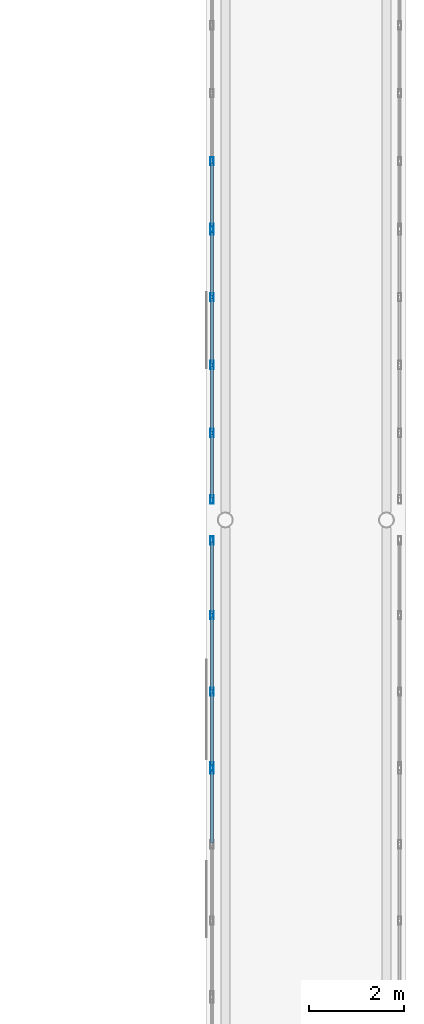
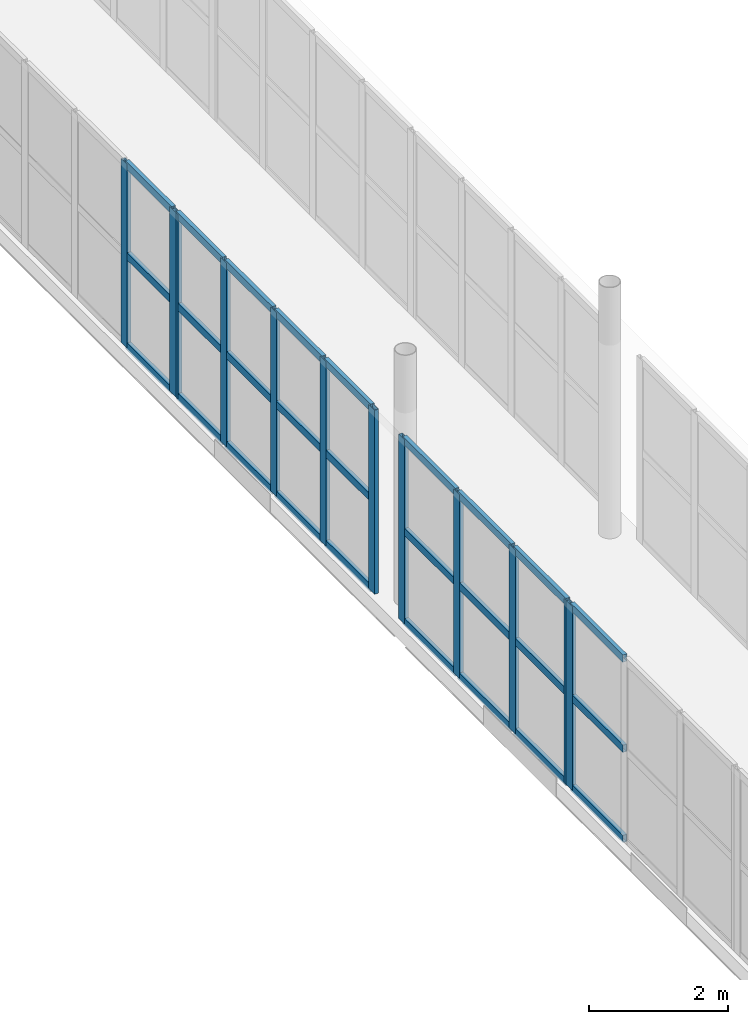
# One storey, part 35 of 142: 39 members, 4 elements without a shape of their own.
"""IFC4 building model written with IfcOpenShell, lengths in metres."""

from ifc_helpers import new_model, si_unit, direction, frame, origin, origin_2d, place, context, subcontext, project, spatial, hollow_rectangle, extrude, material, layer, layer_set, material_profile, profile_set, type_object, element, aggregate, save


model = new_model("IFC4")

# Units and contexts
model_context = context("Model", 3, precision=1e-05, world=origin(), true_north=direction((0.0, 1.0)))
body_context = subcontext(model_context, "Body", "Model", "MODEL_VIEW")
ifc_project = project(units=[si_unit("LENGTHUNIT", "METRE"), si_unit("AREAUNIT", "SQUARE_METRE"), si_unit("VOLUMEUNIT", "CUBIC_METRE"), si_unit("PLANEANGLEUNIT", "RADIAN"), si_unit("MASSUNIT", "GRAM", prefix="KILO")], contexts=[model_context])

# Site, building, storey
site_placement = place(None, origin())
site = spatial("IfcSite", under=ifc_project, at=site_placement, CompositionType="ELEMENT")
building_placement = place(site_placement, origin())
building = spatial("IfcBuilding", under=site, at=building_placement, Name="Valcora Specialist Clinic", CompositionType="ELEMENT")
storey_placement = place(building_placement, frame((0.0, 0.0, 5.10009765625)))
storey = spatial("IfcBuildingStorey", under=building, at=storey_placement, Name="L01", CompositionType="ELEMENT", Elevation=5.10009765625)

# Curtain wall, member
ifc_material = material(Name="Anodized Bronze Aluminium 6063-T6", Category="aluminium")
ifc_layer = layer(ifc_material, 0.175048828125)
ifc_layer_set = layer_set([ifc_layer], Name="Anodized Bronze Aluminium 6063-T6")
curtain_wall_type = type_object("IfcCurtainWallType", Name="TY-CW-BRG14", PredefinedType="NOTDEFINED", material=ifc_layer_set)
curtain_wall_1_placement = place(storey_placement, origin())
curtain_wall_1 = element("IfcCurtainWall", 1, at=curtain_wall_1_placement, inside=storey, type_object=curtain_wall_type, Name="Curtain wall CW-L01-232", PredefinedType="NOTDEFINED")
ifc_material_profile_1 = material_profile(ifc_material, hollow_rectangle(XDim=0.06494140625, YDim=0.175048828125, WallThickness=0.00390625, at=origin_2d()), Name="AL-MUL-65X175")
ifc_profile_set_1 = profile_set([ifc_material_profile_1], Name="Anodized Bronze Aluminium 6063-T6")
member_type_1 = type_object("IfcMemberType", Name="TY-CWM-65X175", PredefinedType="MULLION", material=ifc_profile_set_1)
member_1_placement = place(storey_placement, frame((61.320068359375, 32.734130859375, 0.0), z_axis=(0.0, 0.0, 1.0), x_axis=(-1.0, 0.0, 0.0)))
member_1 = element("IfcMember", 2, at=member_1_placement, type_object=member_type_1, Name="CW-BRG-14 mullion 4", PredefinedType="MULLION", context=body_context, shape_type="SweptSolid", body=[
    extrude(hollow_rectangle(XDim=0.06494140625, YDim=0.175048828125, WallThickness=0.00390625, at=origin_2d()), origin(), (0.0, 0.0, 1.0), 3.239990234375),
])

# Curtain wall, members
curtain_wall_2_placement = place(storey_placement, origin())
curtain_wall_2 = element("IfcCurtainWall", 3, at=curtain_wall_2_placement, inside=storey, type_object=curtain_wall_type, Name="Curtain wall CW-L01-233", PredefinedType="NOTDEFINED")
member_2_placement = place(storey_placement, frame((61.320068359375, 32.79931640625, 0.0), z_axis=(0.0, 0.0, 1.0), x_axis=(-1.0, 0.0, 0.0)))
member_2 = element("IfcMember", 4, at=member_2_placement, type_object=member_type_1, Name="CW-BRG-14 mullion 1", PredefinedType="MULLION", context=body_context, shape_type="SweptSolid", body=[
    extrude(hollow_rectangle(XDim=0.06494140625, YDim=0.175048828125, WallThickness=0.00390625, at=origin_2d()), origin(), (0.0, 0.0, 1.0), 3.239990234375),
])
member_3_placement = place(storey_placement, frame((61.320068359375, 34.377685546875, 0.0), z_axis=(0.0, 0.0, 1.0), x_axis=(-1.0, 0.0, 0.0)))
member_3 = element("IfcMember", 5, at=member_3_placement, type_object=member_type_1, Name="CW-BRG-14 mullion 2", PredefinedType="MULLION", context=body_context, shape_type="SweptSolid", body=[
    extrude(hollow_rectangle(XDim=0.06494140625, YDim=0.175048828125, WallThickness=0.00390625, at=origin_2d()), origin(), (0.0, 0.0, 1.0), 3.239990234375),
])
member_4_placement = place(storey_placement, frame((61.320068359375, 35.989013671875, 0.0), z_axis=(0.0, 0.0, 1.0), x_axis=(-1.0, 0.0, 0.0)))
member_4 = element("IfcMember", 6, at=member_4_placement, type_object=member_type_1, Name="CW-BRG-14 mullion 3", PredefinedType="MULLION", context=body_context, shape_type="SweptSolid", body=[
    extrude(hollow_rectangle(XDim=0.06494140625, YDim=0.175048828125, WallThickness=0.00390625, at=origin_2d()), origin(), (0.0, 0.0, 1.0), 3.239990234375),
])
member_5_placement = place(storey_placement, frame((61.320068359375, 37.5673828125, 0.0), z_axis=(0.0, 0.0, 1.0), x_axis=(-1.0, 0.0, 0.0)))
member_5 = element("IfcMember", 7, at=member_5_placement, type_object=member_type_1, Name="CW-BRG-14 mullion 4", PredefinedType="MULLION", context=body_context, shape_type="SweptSolid", body=[
    extrude(hollow_rectangle(XDim=0.06494140625, YDim=0.175048828125, WallThickness=0.00390625, at=origin_2d()), origin(), (0.0, 0.0, 1.0), 3.239990234375),
])

curtain_wall_3_placement = place(storey_placement, origin())
curtain_wall_3 = element("IfcCurtainWall", 8, at=curtain_wall_3_placement, inside=storey, type_object=curtain_wall_type, Name="Curtain wall CW-L01-234", PredefinedType="NOTDEFINED")
member_6_placement = place(storey_placement, frame((61.320068359375, 38.4326171875, 0.0), z_axis=(0.0, 0.0, 1.0), x_axis=(-1.0, 0.0, 0.0)))
member_6 = element("IfcMember", 9, at=member_6_placement, type_object=member_type_1, Name="CW-BRG-14 mullion 1", PredefinedType="MULLION", context=body_context, shape_type="SweptSolid", body=[
    extrude(hollow_rectangle(XDim=0.06494140625, YDim=0.175048828125, WallThickness=0.00390625, at=origin_2d()), origin(), (0.0, 0.0, 1.0), 3.239990234375),
])
member_7_placement = place(storey_placement, frame((61.320068359375, 39.833251953125, 0.0), z_axis=(0.0, 0.0, 1.0), x_axis=(-1.0, 0.0, 0.0)))
member_7 = element("IfcMember", 10, at=member_7_placement, type_object=member_type_1, Name="CW-BRG-14 mullion 2", PredefinedType="MULLION", context=body_context, shape_type="SweptSolid", body=[
    extrude(hollow_rectangle(XDim=0.06494140625, YDim=0.175048828125, WallThickness=0.00390625, at=origin_2d()), origin(), (0.0, 0.0, 1.0), 3.239990234375),
])
member_8_placement = place(storey_placement, frame((61.320068359375, 41.2666015625, 0.0), z_axis=(0.0, 0.0, 1.0), x_axis=(-1.0, 0.0, 0.0)))
member_8 = element("IfcMember", 11, at=member_8_placement, type_object=member_type_1, Name="CW-BRG-14 mullion 3", PredefinedType="MULLION", context=body_context, shape_type="SweptSolid", body=[
    extrude(hollow_rectangle(XDim=0.06494140625, YDim=0.175048828125, WallThickness=0.00390625, at=origin_2d()), origin(), (0.0, 0.0, 1.0), 3.239990234375),
])
member_9_placement = place(storey_placement, frame((61.320068359375, 42.699951171875, 0.0), z_axis=(0.0, 0.0, 1.0), x_axis=(-1.0, 0.0, 0.0)))
member_9 = element("IfcMember", 12, at=member_9_placement, type_object=member_type_1, Name="CW-BRG-14 mullion 4", PredefinedType="MULLION", context=body_context, shape_type="SweptSolid", body=[
    extrude(hollow_rectangle(XDim=0.06494140625, YDim=0.175048828125, WallThickness=0.00390625, at=origin_2d()), origin(), (0.0, 0.0, 1.0), 3.239990234375),
])
member_10_placement = place(storey_placement, frame((61.320068359375, 44.100830078125, 0.0), z_axis=(0.0, 0.0, 1.0), x_axis=(-1.0, 0.0, 0.0)))
member_10 = element("IfcMember", 13, at=member_10_placement, type_object=member_type_1, Name="CW-BRG-14 mullion 5", PredefinedType="MULLION", context=body_context, shape_type="SweptSolid", body=[
    extrude(hollow_rectangle(XDim=0.06494140625, YDim=0.175048828125, WallThickness=0.00390625, at=origin_2d()), origin(), (0.0, 0.0, 1.0), 3.239990234375),
])

curtain_wall_4_placement = place(storey_placement, origin())
curtain_wall_4 = element("IfcCurtainWall", 14, at=curtain_wall_4_placement, inside=storey, type_object=curtain_wall_type, Name="Curtain wall CW-L01-235", PredefinedType="NOTDEFINED")
member_11_placement = place(storey_placement, frame((61.320068359375, 44.165771484375, 0.0), z_axis=(0.0, 0.0, 1.0), x_axis=(-1.0, 0.0, 0.0)))
member_11 = element("IfcMember", 15, at=member_11_placement, type_object=member_type_1, Name="CW-BRG-14 mullion 1", PredefinedType="MULLION", context=body_context, shape_type="SweptSolid", body=[
    extrude(hollow_rectangle(XDim=0.06494140625, YDim=0.175048828125, WallThickness=0.00390625, at=origin_2d()), origin(), (0.0, 0.0, 1.0), 3.239990234375),
])
member_12_placement = place(storey_placement, frame((61.320068359375, 45.566650390625, 0.0), z_axis=(0.0, 0.0, 1.0), x_axis=(-1.0, 0.0, 0.0)))
member_12 = element("IfcMember", 16, at=member_12_placement, type_object=member_type_1, Name="CW-BRG-14 mullion 2", PredefinedType="MULLION", context=body_context, shape_type="SweptSolid", body=[
    extrude(hollow_rectangle(XDim=0.06494140625, YDim=0.175048828125, WallThickness=0.00390625, at=origin_2d()), origin(), (0.0, 0.0, 1.0), 3.239990234375),
])

# Member
ifc_material_profile_2 = material_profile(ifc_material, hollow_rectangle(XDim=0.06494140625, YDim=0.1298828125, WallThickness=0.00390625, at=origin_2d()), Name="AL-TRN-65X130")
ifc_profile_set_2 = profile_set([ifc_material_profile_2], Name="Anodized Bronze Aluminium 6063-T6")
member_type_2 = type_object("IfcMemberType", Name="TY-CWT-65X130", PredefinedType="USERDEFINED", material=ifc_profile_set_2)
member_13_placement = place(storey_placement, frame((61.320068359375, 31.18798828125, 0.032470703125), z_axis=(0.0, 1.0, 0.0), x_axis=(-1.0, 0.0, 0.0)))
member_13 = element("IfcMember", 17, at=member_13_placement, type_object=member_type_2, Name="CW-BRG-14 transom 3.1", ObjectType="TRANSOM", PredefinedType="USERDEFINED", context=body_context, shape_type="SweptSolid", body=[
    extrude(hollow_rectangle(XDim=0.06494140625, YDim=0.1298828125, WallThickness=0.00390625, at=origin_2d()), origin(), (0.0, 0.0, 1.0), 1.513671875),
])

member_14_placement = place(storey_placement, frame((61.320068359375, 31.18798828125, 1.619873046875), z_axis=(0.0, 1.0, 0.0), x_axis=(-1.0, 0.0, 0.0)))
member_14 = element("IfcMember", 18, at=member_14_placement, type_object=member_type_2, Name="CW-BRG-14 transom 3.2", ObjectType="TRANSOM", PredefinedType="USERDEFINED", context=body_context, shape_type="SweptSolid", body=[
    extrude(hollow_rectangle(XDim=0.06494140625, YDim=0.1298828125, WallThickness=0.00390625, at=origin_2d()), origin(), (0.0, 0.0, 1.0), 1.513671875),
])

member_15_placement = place(storey_placement, frame((61.320068359375, 31.18798828125, 3.20751953125), z_axis=(0.0, 1.0, 0.0), x_axis=(-1.0, 0.0, 0.0)))
member_15 = element("IfcMember", 19, at=member_15_placement, type_object=member_type_2, Name="CW-BRG-14 transom 3.3", ObjectType="TRANSOM", PredefinedType="USERDEFINED", context=body_context, shape_type="SweptSolid", body=[
    extrude(hollow_rectangle(XDim=0.06494140625, YDim=0.1298828125, WallThickness=0.00390625, at=origin_2d()), origin(), (0.0, 0.0, 1.0), 1.513671875),
])

aggregate(curtain_wall_1, [member_1, member_13, member_14, member_15])

member_16_placement = place(storey_placement, frame((61.320068359375, 32.831787109375, 0.032470703125), z_axis=(0.0, 1.0, 0.0), x_axis=(-1.0, 0.0, 0.0)))
member_16 = element("IfcMember", 20, at=member_16_placement, type_object=member_type_2, Name="CW-BRG-14 transom 1.1", ObjectType="TRANSOM", PredefinedType="USERDEFINED", context=body_context, shape_type="SweptSolid", body=[
    extrude(hollow_rectangle(XDim=0.06494140625, YDim=0.1298828125, WallThickness=0.00390625, at=origin_2d()), origin(), (0.0, 0.0, 1.0), 1.513427734375),
])

member_17_placement = place(storey_placement, frame((61.320068359375, 32.831787109375, 1.619873046875), z_axis=(0.0, 1.0, 0.0), x_axis=(-1.0, 0.0, 0.0)))
member_17 = element("IfcMember", 21, at=member_17_placement, type_object=member_type_2, Name="CW-BRG-14 transom 1.2", ObjectType="TRANSOM", PredefinedType="USERDEFINED", context=body_context, shape_type="SweptSolid", body=[
    extrude(hollow_rectangle(XDim=0.06494140625, YDim=0.1298828125, WallThickness=0.00390625, at=origin_2d()), origin(), (0.0, 0.0, 1.0), 1.513427734375),
])

member_18_placement = place(storey_placement, frame((61.320068359375, 32.831787109375, 3.20751953125), z_axis=(0.0, 1.0, 0.0), x_axis=(-1.0, 0.0, 0.0)))
member_18 = element("IfcMember", 22, at=member_18_placement, type_object=member_type_2, Name="CW-BRG-14 transom 1.3", ObjectType="TRANSOM", PredefinedType="USERDEFINED", context=body_context, shape_type="SweptSolid", body=[
    extrude(hollow_rectangle(XDim=0.06494140625, YDim=0.1298828125, WallThickness=0.00390625, at=origin_2d()), origin(), (0.0, 0.0, 1.0), 1.513427734375),
])

member_19_placement = place(storey_placement, frame((61.320068359375, 34.410400390625, 0.032470703125), z_axis=(0.0, 1.0, 0.0), x_axis=(-1.0, 0.0, 0.0)))
member_19 = element("IfcMember", 23, at=member_19_placement, type_object=member_type_2, Name="CW-BRG-14 transom 2.1", ObjectType="TRANSOM", PredefinedType="USERDEFINED", context=body_context, shape_type="SweptSolid", body=[
    extrude(hollow_rectangle(XDim=0.06494140625, YDim=0.1298828125, WallThickness=0.00390625, at=origin_2d()), origin(), (0.0, 0.0, 1.0), 1.5458984375),
])

member_20_placement = place(storey_placement, frame((61.320068359375, 34.410400390625, 1.619873046875), z_axis=(0.0, 1.0, 0.0), x_axis=(-1.0, 0.0, 0.0)))
member_20 = element("IfcMember", 24, at=member_20_placement, type_object=member_type_2, Name="CW-BRG-14 transom 2.2", ObjectType="TRANSOM", PredefinedType="USERDEFINED", context=body_context, shape_type="SweptSolid", body=[
    extrude(hollow_rectangle(XDim=0.06494140625, YDim=0.1298828125, WallThickness=0.00390625, at=origin_2d()), origin(), (0.0, 0.0, 1.0), 1.5458984375),
])

member_21_placement = place(storey_placement, frame((61.320068359375, 34.410400390625, 3.20751953125), z_axis=(0.0, 1.0, 0.0), x_axis=(-1.0, 0.0, 0.0)))
member_21 = element("IfcMember", 25, at=member_21_placement, type_object=member_type_2, Name="CW-BRG-14 transom 2.3", ObjectType="TRANSOM", PredefinedType="USERDEFINED", context=body_context, shape_type="SweptSolid", body=[
    extrude(hollow_rectangle(XDim=0.06494140625, YDim=0.1298828125, WallThickness=0.00390625, at=origin_2d()), origin(), (0.0, 0.0, 1.0), 1.5458984375),
])

member_22_placement = place(storey_placement, frame((61.320068359375, 36.021484375, 0.032470703125), z_axis=(0.0, 1.0, 0.0), x_axis=(-1.0, 0.0, 0.0)))
member_22 = element("IfcMember", 26, at=member_22_placement, type_object=member_type_2, Name="CW-BRG-14 transom 3.1", ObjectType="TRANSOM", PredefinedType="USERDEFINED", context=body_context, shape_type="SweptSolid", body=[
    extrude(hollow_rectangle(XDim=0.06494140625, YDim=0.1298828125, WallThickness=0.00390625, at=origin_2d()), origin(), (0.0, 0.0, 1.0), 1.513427734375),
])

member_23_placement = place(storey_placement, frame((61.320068359375, 36.021484375, 1.619873046875), z_axis=(0.0, 1.0, 0.0), x_axis=(-1.0, 0.0, 0.0)))
member_23 = element("IfcMember", 27, at=member_23_placement, type_object=member_type_2, Name="CW-BRG-14 transom 3.2", ObjectType="TRANSOM", PredefinedType="USERDEFINED", context=body_context, shape_type="SweptSolid", body=[
    extrude(hollow_rectangle(XDim=0.06494140625, YDim=0.1298828125, WallThickness=0.00390625, at=origin_2d()), origin(), (0.0, 0.0, 1.0), 1.513427734375),
])

member_24_placement = place(storey_placement, frame((61.320068359375, 36.021484375, 3.20751953125), z_axis=(0.0, 1.0, 0.0), x_axis=(-1.0, 0.0, 0.0)))
member_24 = element("IfcMember", 28, at=member_24_placement, type_object=member_type_2, Name="CW-BRG-14 transom 3.3", ObjectType="TRANSOM", PredefinedType="USERDEFINED", context=body_context, shape_type="SweptSolid", body=[
    extrude(hollow_rectangle(XDim=0.06494140625, YDim=0.1298828125, WallThickness=0.00390625, at=origin_2d()), origin(), (0.0, 0.0, 1.0), 1.513427734375),
])

aggregate(curtain_wall_2, [member_2, member_3, member_4, member_5, member_16, member_17, member_18, member_19, member_20, member_21, member_22, member_23, member_24])

member_25_placement = place(storey_placement, frame((61.320068359375, 38.465087890625, 0.032470703125), z_axis=(0.0, 1.0, 0.0), x_axis=(-1.0, 0.0, 0.0)))
member_25 = element("IfcMember", 29, at=member_25_placement, type_object=member_type_2, Name="CW-BRG-14 transom 1.1", ObjectType="TRANSOM", PredefinedType="USERDEFINED", context=body_context, shape_type="SweptSolid", body=[
    extrude(hollow_rectangle(XDim=0.06494140625, YDim=0.1298828125, WallThickness=0.00390625, at=origin_2d()), origin(), (0.0, 0.0, 1.0), 1.335693359375),
])

member_26_placement = place(storey_placement, frame((61.320068359375, 38.465087890625, 1.619873046875), z_axis=(0.0, 1.0, 0.0), x_axis=(-1.0, 0.0, 0.0)))
member_26 = element("IfcMember", 30, at=member_26_placement, type_object=member_type_2, Name="CW-BRG-14 transom 1.2", ObjectType="TRANSOM", PredefinedType="USERDEFINED", context=body_context, shape_type="SweptSolid", body=[
    extrude(hollow_rectangle(XDim=0.06494140625, YDim=0.1298828125, WallThickness=0.00390625, at=origin_2d()), origin(), (0.0, 0.0, 1.0), 1.335693359375),
])

member_27_placement = place(storey_placement, frame((61.320068359375, 38.465087890625, 3.20751953125), z_axis=(0.0, 1.0, 0.0), x_axis=(-1.0, 0.0, 0.0)))
member_27 = element("IfcMember", 31, at=member_27_placement, type_object=member_type_2, Name="CW-BRG-14 transom 1.3", ObjectType="TRANSOM", PredefinedType="USERDEFINED", context=body_context, shape_type="SweptSolid", body=[
    extrude(hollow_rectangle(XDim=0.06494140625, YDim=0.1298828125, WallThickness=0.00390625, at=origin_2d()), origin(), (0.0, 0.0, 1.0), 1.335693359375),
])

member_28_placement = place(storey_placement, frame((61.320068359375, 39.86572265625, 0.032470703125), z_axis=(0.0, 1.0, 0.0), x_axis=(-1.0, 0.0, 0.0)))
member_28 = element("IfcMember", 32, at=member_28_placement, type_object=member_type_2, Name="CW-BRG-14 transom 2.1", ObjectType="TRANSOM", PredefinedType="USERDEFINED", context=body_context, shape_type="SweptSolid", body=[
    extrude(hollow_rectangle(XDim=0.06494140625, YDim=0.1298828125, WallThickness=0.00390625, at=origin_2d()), origin(), (0.0, 0.0, 1.0), 1.368408203125),
])

member_29_placement = place(storey_placement, frame((61.320068359375, 39.86572265625, 1.619873046875), z_axis=(0.0, 1.0, 0.0), x_axis=(-1.0, 0.0, 0.0)))
member_29 = element("IfcMember", 33, at=member_29_placement, type_object=member_type_2, Name="CW-BRG-14 transom 2.2", ObjectType="TRANSOM", PredefinedType="USERDEFINED", context=body_context, shape_type="SweptSolid", body=[
    extrude(hollow_rectangle(XDim=0.06494140625, YDim=0.1298828125, WallThickness=0.00390625, at=origin_2d()), origin(), (0.0, 0.0, 1.0), 1.368408203125),
])

member_30_placement = place(storey_placement, frame((61.320068359375, 39.86572265625, 3.20751953125), z_axis=(0.0, 1.0, 0.0), x_axis=(-1.0, 0.0, 0.0)))
member_30 = element("IfcMember", 34, at=member_30_placement, type_object=member_type_2, Name="CW-BRG-14 transom 2.3", ObjectType="TRANSOM", PredefinedType="USERDEFINED", context=body_context, shape_type="SweptSolid", body=[
    extrude(hollow_rectangle(XDim=0.06494140625, YDim=0.1298828125, WallThickness=0.00390625, at=origin_2d()), origin(), (0.0, 0.0, 1.0), 1.368408203125),
])

member_31_placement = place(storey_placement, frame((61.320068359375, 41.299072265625, 0.032470703125), z_axis=(0.0, 1.0, 0.0), x_axis=(-1.0, 0.0, 0.0)))
member_31 = element("IfcMember", 35, at=member_31_placement, type_object=member_type_2, Name="CW-BRG-14 transom 3.1", ObjectType="TRANSOM", PredefinedType="USERDEFINED", context=body_context, shape_type="SweptSolid", body=[
    extrude(hollow_rectangle(XDim=0.06494140625, YDim=0.1298828125, WallThickness=0.00390625, at=origin_2d()), origin(), (0.0, 0.0, 1.0), 1.368408203125),
])

member_32_placement = place(storey_placement, frame((61.320068359375, 41.299072265625, 1.619873046875), z_axis=(0.0, 1.0, 0.0), x_axis=(-1.0, 0.0, 0.0)))
member_32 = element("IfcMember", 36, at=member_32_placement, type_object=member_type_2, Name="CW-BRG-14 transom 3.2", ObjectType="TRANSOM", PredefinedType="USERDEFINED", context=body_context, shape_type="SweptSolid", body=[
    extrude(hollow_rectangle(XDim=0.06494140625, YDim=0.1298828125, WallThickness=0.00390625, at=origin_2d()), origin(), (0.0, 0.0, 1.0), 1.368408203125),
])

member_33_placement = place(storey_placement, frame((61.320068359375, 41.299072265625, 3.20751953125), z_axis=(0.0, 1.0, 0.0), x_axis=(-1.0, 0.0, 0.0)))
member_33 = element("IfcMember", 37, at=member_33_placement, type_object=member_type_2, Name="CW-BRG-14 transom 3.3", ObjectType="TRANSOM", PredefinedType="USERDEFINED", context=body_context, shape_type="SweptSolid", body=[
    extrude(hollow_rectangle(XDim=0.06494140625, YDim=0.1298828125, WallThickness=0.00390625, at=origin_2d()), origin(), (0.0, 0.0, 1.0), 1.368408203125),
])

member_34_placement = place(storey_placement, frame((61.320068359375, 42.732421875, 0.032470703125), z_axis=(0.0, 1.0, 0.0), x_axis=(-1.0, 0.0, 0.0)))
member_34 = element("IfcMember", 38, at=member_34_placement, type_object=member_type_2, Name="CW-BRG-14 transom 4.1", ObjectType="TRANSOM", PredefinedType="USERDEFINED", context=body_context, shape_type="SweptSolid", body=[
    extrude(hollow_rectangle(XDim=0.06494140625, YDim=0.1298828125, WallThickness=0.00390625, at=origin_2d()), origin(), (0.0, 0.0, 1.0), 1.3359375),
])

member_35_placement = place(storey_placement, frame((61.320068359375, 42.732421875, 1.619873046875), z_axis=(0.0, 1.0, 0.0), x_axis=(-1.0, 0.0, 0.0)))
member_35 = element("IfcMember", 39, at=member_35_placement, type_object=member_type_2, Name="CW-BRG-14 transom 4.2", ObjectType="TRANSOM", PredefinedType="USERDEFINED", context=body_context, shape_type="SweptSolid", body=[
    extrude(hollow_rectangle(XDim=0.06494140625, YDim=0.1298828125, WallThickness=0.00390625, at=origin_2d()), origin(), (0.0, 0.0, 1.0), 1.3359375),
])

member_36_placement = place(storey_placement, frame((61.320068359375, 42.732421875, 3.20751953125), z_axis=(0.0, 1.0, 0.0), x_axis=(-1.0, 0.0, 0.0)))
member_36 = element("IfcMember", 40, at=member_36_placement, type_object=member_type_2, Name="CW-BRG-14 transom 4.3", ObjectType="TRANSOM", PredefinedType="USERDEFINED", context=body_context, shape_type="SweptSolid", body=[
    extrude(hollow_rectangle(XDim=0.06494140625, YDim=0.1298828125, WallThickness=0.00390625, at=origin_2d()), origin(), (0.0, 0.0, 1.0), 1.3359375),
])

aggregate(curtain_wall_3, [member_6, member_7, member_8, member_9, member_10, member_25, member_26, member_27, member_28, member_29, member_30, member_31, member_32, member_33, member_34, member_35, member_36])

member_37_placement = place(storey_placement, frame((61.320068359375, 44.1982421875, 0.032470703125), z_axis=(0.0, 1.0, 0.0), x_axis=(-1.0, 0.0, 0.0)))
member_37 = element("IfcMember", 41, at=member_37_placement, type_object=member_type_2, Name="CW-BRG-14 transom 1.1", ObjectType="TRANSOM", PredefinedType="USERDEFINED", context=body_context, shape_type="SweptSolid", body=[
    extrude(hollow_rectangle(XDim=0.06494140625, YDim=0.1298828125, WallThickness=0.00390625, at=origin_2d()), origin(), (0.0, 0.0, 1.0), 1.3359375),
])

member_38_placement = place(storey_placement, frame((61.320068359375, 44.1982421875, 1.619873046875), z_axis=(0.0, 1.0, 0.0), x_axis=(-1.0, 0.0, 0.0)))
member_38 = element("IfcMember", 42, at=member_38_placement, type_object=member_type_2, Name="CW-BRG-14 transom 1.2", ObjectType="TRANSOM", PredefinedType="USERDEFINED", context=body_context, shape_type="SweptSolid", body=[
    extrude(hollow_rectangle(XDim=0.06494140625, YDim=0.1298828125, WallThickness=0.00390625, at=origin_2d()), origin(), (0.0, 0.0, 1.0), 1.3359375),
])

member_39_placement = place(storey_placement, frame((61.320068359375, 44.1982421875, 3.20751953125), z_axis=(0.0, 1.0, 0.0), x_axis=(-1.0, 0.0, 0.0)))
member_39 = element("IfcMember", 43, at=member_39_placement, type_object=member_type_2, Name="CW-BRG-14 transom 1.3", ObjectType="TRANSOM", PredefinedType="USERDEFINED", context=body_context, shape_type="SweptSolid", body=[
    extrude(hollow_rectangle(XDim=0.06494140625, YDim=0.1298828125, WallThickness=0.00390625, at=origin_2d()), origin(), (0.0, 0.0, 1.0), 1.3359375),
])

aggregate(curtain_wall_4, [member_11, member_12, member_37, member_38, member_39])

save(model, "model.ifc")
